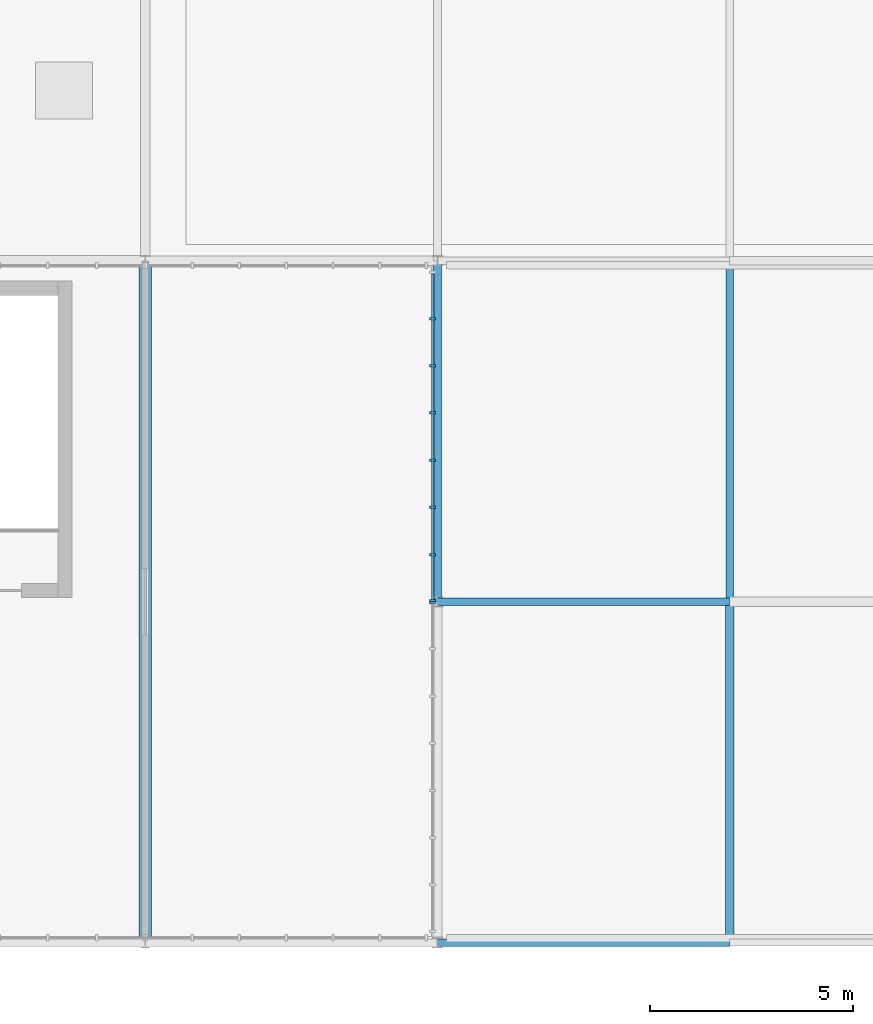
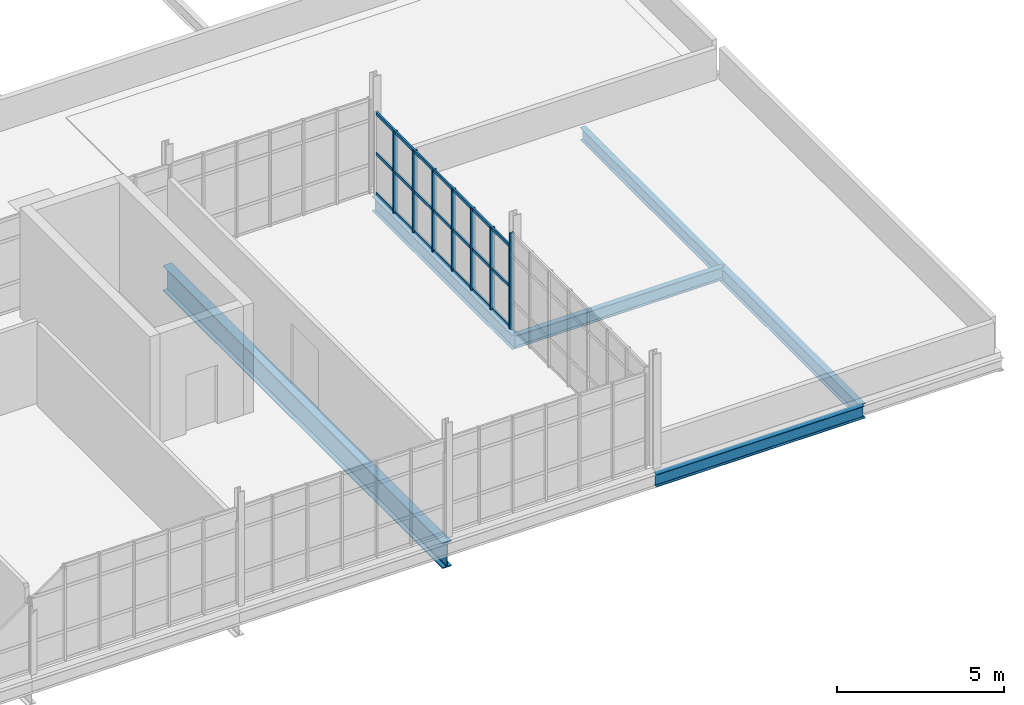
# One storey, part 59 of 119: 11 members, 6 beams, 2 elements without a shape of their own.
"""IFC4 building model written with IfcOpenShell, lengths in metres."""

from ifc_helpers import new_model, si_unit, direction, frame, origin, origin_2d, place, context, subcontext, project, spatial, rectangle, i_section, extrude, material, material_profile, profile_set, type_object, element, aggregate, save


model = new_model("IFC4")

# Units and contexts
model_context = context("Model", 3, precision=1e-05, world=origin(), true_north=direction((0.0, 1.0)))
body_context = subcontext(model_context, "Body", "Model", "MODEL_VIEW")
ifc_project = project(units=[si_unit("LENGTHUNIT", "METRE"), si_unit("AREAUNIT", "SQUARE_METRE"), si_unit("VOLUMEUNIT", "CUBIC_METRE"), si_unit("PLANEANGLEUNIT", "RADIAN"), si_unit("MASSUNIT", "GRAM", prefix="KILO")], contexts=[model_context])

# Site, building, storey
site_placement = place(None, origin())
site = spatial("IfcSite", under=ifc_project, at=site_placement, CompositionType="ELEMENT")
building_placement = place(site_placement, origin())
building = spatial("IfcBuilding", under=site, at=building_placement, Name="Qelthora Terrace Specialist Clinic", CompositionType="ELEMENT")
storey_placement = place(building_placement, frame((0.0, 0.0, 4.800048828125)))
storey = spatial("IfcBuildingStorey", under=building, at=storey_placement, Name="L01", CompositionType="ELEMENT", Elevation=4.800048828125)

# Beams
ifc_material_1 = material(Name="Steel S355", Category="steel")
ifc_material_profile_1 = material_profile(ifc_material_1, i_section(OverallWidth=0.193115234375, OverallDepth=0.466064453125, WebThickness=0.011474609375, FlangeThickness=0.01904296875, FilletRadius=0.012939453125, at=origin_2d()), Name="W460X97")
ifc_profile_set_1 = profile_set([ifc_material_profile_1], Name="Steel S355")
beam_type_1 = type_object("IfcBeamType", Name="BM-W460X97", PredefinedType="BEAM", material=ifc_profile_set_1)
beam_1_placement = place(storey_placement, frame((158.39990234375, 8.39990234375, -0.483154296875), z_axis=(0.0, 1.0, 0.0), x_axis=(-1.0, 0.0, 0.0)))
element("IfcBeam", 1, at=beam_1_placement, inside=storey, type_object=beam_type_1, Name="Girder BMY-L01-0537", PredefinedType="BEAM", context=body_context, shape_type="SweptSolid", body=[
    extrude(i_section(OverallWidth=0.193115234375, OverallDepth=0.466064453125, WebThickness=0.011474609375, FlangeThickness=0.01904296875, FilletRadius=0.012939453125, at=origin_2d()), origin(), (0.0, 0.0, 1.0), 8.400146484375),
])
ifc_material_profile_2 = material_profile(ifc_material_1, i_section(OverallWidth=0.2099609375, OverallDepth=0.537109375, WebThickness=0.010986328125, FlangeThickness=0.017333984375, FilletRadius=0.013916015625, at=origin_2d()), Name="W530X101")
ifc_profile_set_2 = profile_set([ifc_material_profile_2], Name="Steel S355")
beam_type_2 = type_object("IfcBeamType", Name="BM-W530X101", PredefinedType="BEAM", material=ifc_profile_set_2)
beam_2_placement = place(storey_placement, frame((151.199951171875, 8.39990234375, -0.5185546875), z_axis=(0.0, 1.0, 0.0), x_axis=(-1.0, 0.0, 0.0)))
element("IfcBeam", 2, at=beam_2_placement, inside=storey, type_object=beam_type_2, Name="Girder BMY-L01-0526", PredefinedType="BEAM", context=body_context, shape_type="SweptSolid", body=[
    extrude(i_section(OverallWidth=0.2099609375, OverallDepth=0.537109375, WebThickness=0.010986328125, FlangeThickness=0.017333984375, FilletRadius=0.013916015625, at=origin_2d()), origin(), (0.0, 0.0, 1.0), 8.400146484375),
])
beam_3_placement = place(storey_placement, frame((158.39990234375, 0.0, -0.5185546875), z_axis=(0.0, 1.0, 0.0), x_axis=(-1.0, 0.0, 0.0)))
element("IfcBeam", 3, at=beam_3_placement, inside=storey, type_object=beam_type_2, Name="Girder BMY-L01-0536", PredefinedType="BEAM", context=body_context, shape_type="SweptSolid", body=[
    extrude(i_section(OverallWidth=0.2099609375, OverallDepth=0.537109375, WebThickness=0.010986328125, FlangeThickness=0.017333984375, FilletRadius=0.013916015625, at=origin_2d()), origin(), (0.0, 0.0, 1.0), 8.39990234375),
])
ifc_material_profile_3 = material_profile(ifc_material_1, i_section(OverallWidth=0.30810546875, OverallDepth=0.927001953125, WebThickness=0.019287109375, FlangeThickness=0.031982421875, FilletRadius=0.02197265625, at=origin_2d()), Name="W920X289")
ifc_profile_set_3 = profile_set([ifc_material_profile_3], Name="Steel S355")
beam_type_3 = type_object("IfcBeamType", Name="BM-W920X289", PredefinedType="BEAM", material=ifc_profile_set_3)
beam_4_placement = place(storey_placement, frame((144.0, 0.0, -0.713623046875), z_axis=(0.0, 1.0, 0.0), x_axis=(-1.0, 0.0, 0.0)))
element("IfcBeam", 4, at=beam_4_placement, inside=storey, type_object=beam_type_3, Name="Girder BMY-L01-0513", PredefinedType="BEAM", context=body_context, shape_type="SweptSolid", body=[
    extrude(i_section(OverallWidth=0.30810546875, OverallDepth=0.927001953125, WebThickness=0.019287109375, FlangeThickness=0.031982421875, FilletRadius=0.02197265625, at=origin_2d()), origin(), (0.0, 0.0, 1.0), 16.800048828125),
])

# Curtain wall, member
ifc_material_2 = material(Name="Aluminium anodized bronze", Category="aluminium")
curtain_wall_type = type_object("IfcCurtainWallType", Name="CW-CONS-UP", PredefinedType="NOTDEFINED", material=ifc_material_2)
curtain_wall_1_placement = place(storey_placement, origin())
curtain_wall_1 = element("IfcCurtainWall", 5, at=curtain_wall_1_placement, inside=storey, type_object=curtain_wall_type, Name="Curtain wall CW-L01-246", PredefinedType="NOTDEFINED")
ifc_material_profile_4 = material_profile(ifc_material_2, rectangle(XDim=0.06005859375, YDim=0.14990234375, at=origin_2d()), Name="CWM60X150")
ifc_profile_set_4 = profile_set([ifc_material_profile_4], Name="Aluminium anodized bronze")
member_type_1 = type_object("IfcMemberType", Name="CWM-60X150", PredefinedType="MULLION", material=ifc_profile_set_4)
member_1_placement = place(storey_placement, frame((151.080078125, 8.3798828125, 0.0), z_axis=(0.0, 0.0, 1.0), x_axis=(0.0, 1.0, 0.0)))
member_1 = element("IfcMember", 6, at=member_1_placement, type_object=member_type_1, Name="CW-L01-246 mullion 8", PredefinedType="MULLION", context=body_context, shape_type="SweptSolid", body=[
    extrude(rectangle(XDim=0.06005859375, YDim=0.14990234375, at=origin_2d()), origin(), (0.0, 0.0, 1.0), 3.529052734375),
])
aggregate(curtain_wall_1, [member_1])

# Curtain wall, members
curtain_wall_2_placement = place(storey_placement, origin())
curtain_wall_2 = element("IfcCurtainWall", 7, at=curtain_wall_2_placement, inside=storey, type_object=curtain_wall_type, Name="Curtain wall CW-L01-247", PredefinedType="NOTDEFINED")
member_2_placement = place(storey_placement, frame((151.080078125, 8.419921875, 0.0), z_axis=(0.0, 0.0, 1.0), x_axis=(0.0, 1.0, 0.0)))
member_2 = element("IfcMember", 8, at=member_2_placement, type_object=member_type_1, Name="CW-L01-247 mullion 1", PredefinedType="MULLION", context=body_context, shape_type="SweptSolid", body=[
    extrude(rectangle(XDim=0.06005859375, YDim=0.14990234375, at=origin_2d()), origin(), (0.0, 0.0, 1.0), 3.014892578125),
])
member_3_placement = place(storey_placement, frame((151.080078125, 9.562744140625, 0.0), z_axis=(0.0, 0.0, 1.0), x_axis=(0.0, 1.0, 0.0)))
member_3 = element("IfcMember", 9, at=member_3_placement, type_object=member_type_1, Name="CW-L01-247 mullion 2", PredefinedType="MULLION", context=body_context, shape_type="SweptSolid", body=[
    extrude(rectangle(XDim=0.06005859375, YDim=0.14990234375, at=origin_2d()), origin(), (0.0, 0.0, 1.0), 3.014892578125),
])
member_4_placement = place(storey_placement, frame((151.080078125, 10.725830078125, 0.0), z_axis=(0.0, 0.0, 1.0), x_axis=(0.0, 1.0, 0.0)))
member_4 = element("IfcMember", 10, at=member_4_placement, type_object=member_type_1, Name="CW-L01-247 mullion 3", PredefinedType="MULLION", context=body_context, shape_type="SweptSolid", body=[
    extrude(rectangle(XDim=0.06005859375, YDim=0.14990234375, at=origin_2d()), origin(), (0.0, 0.0, 1.0), 3.014892578125),
])
member_5_placement = place(storey_placement, frame((151.080078125, 11.888671875, 0.0), z_axis=(0.0, 0.0, 1.0), x_axis=(0.0, 1.0, 0.0)))
member_5 = element("IfcMember", 11, at=member_5_placement, type_object=member_type_1, Name="CW-L01-247 mullion 4", PredefinedType="MULLION", context=body_context, shape_type="SweptSolid", body=[
    extrude(rectangle(XDim=0.06005859375, YDim=0.14990234375, at=origin_2d()), origin(), (0.0, 0.0, 1.0), 3.014892578125),
])
member_6_placement = place(storey_placement, frame((151.080078125, 13.051513671875, 0.0), z_axis=(0.0, 0.0, 1.0), x_axis=(0.0, 1.0, 0.0)))
member_6 = element("IfcMember", 12, at=member_6_placement, type_object=member_type_1, Name="CW-L01-247 mullion 5", PredefinedType="MULLION", context=body_context, shape_type="SweptSolid", body=[
    extrude(rectangle(XDim=0.06005859375, YDim=0.14990234375, at=origin_2d()), origin(), (0.0, 0.0, 1.0), 3.014892578125),
])
member_7_placement = place(storey_placement, frame((151.080078125, 14.21435546875, 0.0), z_axis=(0.0, 0.0, 1.0), x_axis=(0.0, 1.0, 0.0)))
member_7 = element("IfcMember", 13, at=member_7_placement, type_object=member_type_1, Name="CW-L01-247 mullion 6", PredefinedType="MULLION", context=body_context, shape_type="SweptSolid", body=[
    extrude(rectangle(XDim=0.06005859375, YDim=0.14990234375, at=origin_2d()), origin(), (0.0, 0.0, 1.0), 3.014892578125),
])
member_8_placement = place(storey_placement, frame((151.080078125, 15.377197265625, 0.0), z_axis=(0.0, 0.0, 1.0), x_axis=(0.0, 1.0, 0.0)))
member_8 = element("IfcMember", 14, at=member_8_placement, type_object=member_type_1, Name="CW-L01-247 mullion 7", PredefinedType="MULLION", context=body_context, shape_type="SweptSolid", body=[
    extrude(rectangle(XDim=0.06005859375, YDim=0.14990234375, at=origin_2d()), origin(), (0.0, 0.0, 1.0), 3.014892578125),
])
ifc_material_profile_5 = material_profile(ifc_material_2, rectangle(XDim=0.06005859375, YDim=0.110107421875, at=origin_2d()), Name="CWT60X110")
ifc_profile_set_5 = profile_set([ifc_material_profile_5], Name="Aluminium anodized bronze")
member_type_2 = type_object("IfcMemberType", Name="CWT-60X110", PredefinedType="USERDEFINED", material=ifc_profile_set_5)
member_9_placement = place(storey_placement, frame((151.080078125, 8.43994140625, 0.0400390625), z_axis=(0.0, 1.0, 0.0), x_axis=(-1.0, 0.0, 0.0)))
member_9 = element("IfcMember", 15, at=member_9_placement, type_object=member_type_2, Name="CW-L01-247 transom 1", ObjectType="TRANSOM", PredefinedType="USERDEFINED", context=body_context, shape_type="SweptSolid", body=[
    extrude(rectangle(XDim=0.06005859375, YDim=0.110107421875, at=origin_2d()), origin(), (0.0, 0.0, 1.0), 8.06005859375),
])
member_10_placement = place(storey_placement, frame((151.080078125, 8.43994140625, 1.507568359375), z_axis=(0.0, 1.0, 0.0), x_axis=(-1.0, 0.0, 0.0)))
member_10 = element("IfcMember", 16, at=member_10_placement, type_object=member_type_2, Name="CW-L01-247 transom 2", ObjectType="TRANSOM", PredefinedType="USERDEFINED", context=body_context, shape_type="SweptSolid", body=[
    extrude(rectangle(XDim=0.06005859375, YDim=0.110107421875, at=origin_2d()), origin(), (0.0, 0.0, 1.0), 8.06005859375),
])
member_11_placement = place(storey_placement, frame((151.080078125, 8.43994140625, 2.974853515625), z_axis=(0.0, 1.0, 0.0), x_axis=(-1.0, 0.0, 0.0)))
member_11 = element("IfcMember", 17, at=member_11_placement, type_object=member_type_2, Name="CW-L01-247 transom 3", ObjectType="TRANSOM", PredefinedType="USERDEFINED", context=body_context, shape_type="SweptSolid", body=[
    extrude(rectangle(XDim=0.06005859375, YDim=0.110107421875, at=origin_2d()), origin(), (0.0, 0.0, 1.0), 8.06005859375),
])
aggregate(curtain_wall_2, [member_2, member_3, member_4, member_5, member_6, member_7, member_8, member_9, member_10, member_11])

# Beams
ifc_material_profile_6 = material_profile(ifc_material_1, i_section(OverallWidth=0.19091796875, OverallDepth=0.4599609375, WebThickness=0.010009765625, FlangeThickness=0.01611328125, FilletRadius=0.012939453125, at=origin_2d()), Name="W460X82")
ifc_profile_set_6 = profile_set([ifc_material_profile_6], Name="Steel S355")
beam_type_4 = type_object("IfcBeamType", Name="SPD-W460X82", PredefinedType="SPANDREL", material=ifc_profile_set_6)
for number, where, z_axis, x_axis, name in (
    (18, (151.199951171875, 0.0, -0.47998046875), (1.0, 0.0, 0.0), (0.0, 1.0, 0.0), "Girder BMX-L01-0146"),
    (19, (151.199951171875, 8.39990234375, -0.47998046875), (1.0, 0.0, 0.0), (0.0, 1.0, 0.0), "Girder BMX-L01-0156"),
):
    element("IfcBeam", number, at=place(storey_placement, frame(where, z_axis=z_axis, x_axis=x_axis)), inside=storey, type_object=beam_type_4, Name=name, PredefinedType="SPANDREL", context=body_context, shape_type="SweptSolid", body=[
        extrude(i_section(OverallWidth=0.19091796875, OverallDepth=0.4599609375, WebThickness=0.010009765625, FlangeThickness=0.01611328125, FilletRadius=0.012939453125, at=origin_2d()), origin(), (0.0, 0.0, 1.0), 7.199951171875),
    ])

save(model, "model.ifc")
